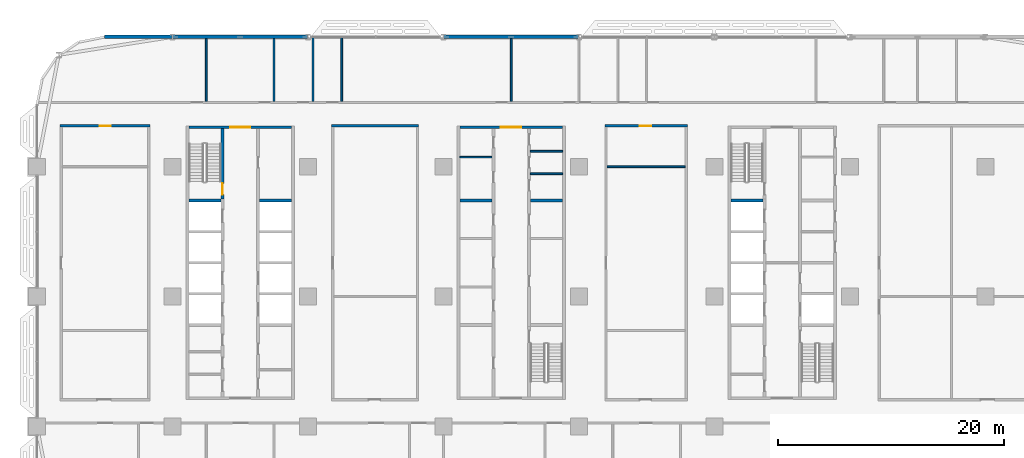
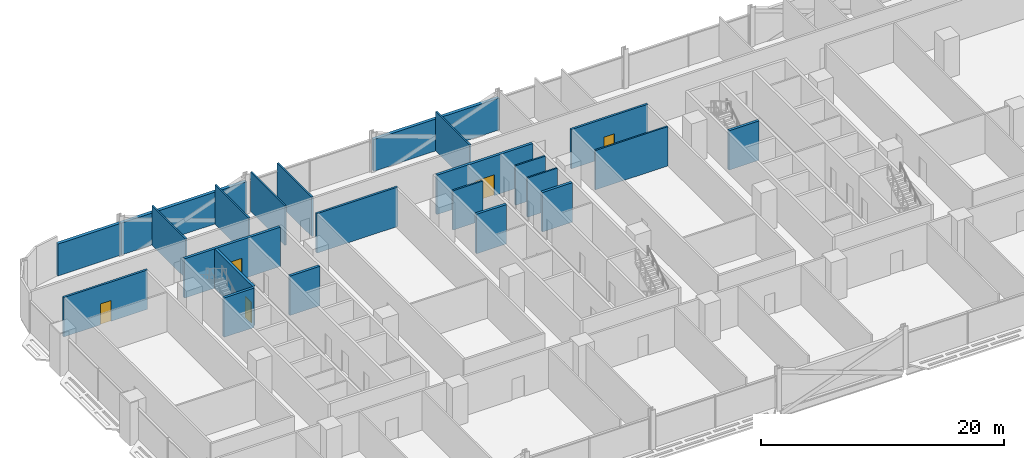
# One storey, part 14 of 29: 23 walls, 5 doors, 5 openings.
"""IFC4 building model written with IfcOpenShell, lengths in metres."""

from ifc_helpers import new_model, si_unit, direction, frame, frame_2d, origin, place, context, subcontext, project, spatial, rectangle, extrude, material, layer, layer_set, type_object, element, fill, save


model = new_model("IFC4")

# Units and contexts
model_context = context("Model", 3, precision=1e-05, world=origin(), true_north=direction((0.0, 1.0)))
body_context = subcontext(model_context, "Body", "Model", "MODEL_VIEW")
ifc_project = project(units=[si_unit("LENGTHUNIT", "METRE"), si_unit("AREAUNIT", "SQUARE_METRE"), si_unit("VOLUMEUNIT", "CUBIC_METRE"), si_unit("PLANEANGLEUNIT", "RADIAN"), si_unit("MASSUNIT", "GRAM", prefix="KILO")], contexts=[model_context])

# Site, building, storey
site_placement = place(None, origin())
site = spatial("IfcSite", under=ifc_project, at=site_placement, CompositionType="ELEMENT")
building_placement = place(site_placement, origin())
building = spatial("IfcBuilding", under=site, at=building_placement, Name="Mahtab Terrace Research Tower", CompositionType="ELEMENT")
storey_placement = place(building_placement, frame((0.0, 0.0, 71.800048828125)))
storey = spatial("IfcBuildingStorey", under=building, at=storey_placement, Name="L16", CompositionType="ELEMENT", Elevation=71.800048828125)

# Walls
ifc_material_1 = material(Name="Gypsum board partition")
ifc_layer_1 = layer(ifc_material_1, 0.14990234375)
ifc_layer_set_1 = layer_set([ifc_layer_1], Name="Core partition 150")
wall_type_1 = type_object("IfcWallType", Name="Core partition 150", PredefinedType="PARTITIONING", material=ifc_layer_set_1)
for number, where, z_axis, x_axis, name in (
    (1, (-4.550048828125, 12.35498046875, 0.0), (0.0, 0.0, 1.0), (1.0, 0.0, 0.0), "Core wall B pWN936"),
    (2, (1.699951171875, 10.875, 0.0), (0.0, 0.0, 1.0), (1.0, 0.0, 0.0), "Core wall B pEN788"),
    (3, (1.699951171875, 12.875, 0.0), (0.0, 0.0, 1.0), (1.0, 0.0, 0.0), "Core wall B pEN988"),
):
    element("IfcWall", number, at=place(storey_placement, frame(where, z_axis=z_axis, x_axis=x_axis)), inside=storey, type_object=wall_type_1, Name=name, PredefinedType="PARTITIONING", context=body_context, shape_type="SweptSolid", body=[
        extrude(rectangle(XDim=2.85009765625, YDim=0.14990234375, at=frame_2d((1.425048828125, 0.0))), origin(), (0.0, 0.0, 1.0), 3.9599609375),
    ])

# Wall, opening, door
ifc_material_2 = material(Name="Concrete C70/85", Category="concrete")
ifc_layer_2 = layer(ifc_material_2, 0.25)
ifc_layer_set_2 = layer_set([ifc_layer_2], Name="Core wall 250")
wall_type_2 = type_object("IfcWallType", Name="Core wall 250", PredefinedType="SOLIDWALL", material=ifc_layer_set_2)
wall_1_placement = place(storey_placement, frame((-28.550048828125, 15.0, 0.0), z_axis=(0.0, 0.0, 1.0), x_axis=(1.0, 0.0, 0.0)))
wall_1 = element("IfcWall", 4, at=wall_1_placement, inside=storey, type_object=wall_type_2, Name="Core wall A endN", PredefinedType="SOLIDWALL", context=body_context, shape_type="SweptSolid", body=[
    extrude(rectangle(XDim=9.10009765625, YDim=0.25, at=frame_2d((4.550048828125, 0.0))), origin(), (0.0, 0.0, 1.0), 3.9599609375),
])
opening_1_placement = place(wall_1_placement, frame((3.64990234375, 0.0, 0.0)))
opening_1 = element("IfcOpeningElement", 5, at=opening_1_placement, cuts=wall_1, Name="Opening A-N1", PredefinedType="OPENING", context=body_context, shape_type="SweptSolid", body=[
    extrude(rectangle(XDim=1.800048828125, YDim=2.10009765625, at=frame_2d((0.89990234375, 1.050048828125))), frame((0.0, 0.135009765625, 0.0), z_axis=(0.0, -1.0, 0.0), x_axis=(1.0, 0.0, 0.0)), (0.0, 0.0, 1.0), 0.27001953125),
])
ifc_material_3 = material(Name="Steel fire door", Category="steel")
door_type_1 = type_object("IfcDoorType", Name="Lobby double door 1800x2100 1 HR", OperationType="DOUBLE_DOOR_SINGLE_SWING", PredefinedType="DOOR", material=ifc_material_3)
door_1_placement = place(opening_1_placement, origin())
door_1 = element("IfcDoor", 6, at=door_1_placement, inside=storey, type_object=door_type_1, Name="Core entrance door A N", OperationType="DOUBLE_DOOR_SINGLE_SWING", OverallHeight=2.10009765625, OverallWidth=1.800048828125, PredefinedType="DOOR", context=body_context, shape_type="SweptSolid", body=[
    extrude(rectangle(XDim=1.800048828125, YDim=2.10009765625, at=frame_2d((0.89990234375, 1.050048828125))), frame((0.0, 0.02490234375, 0.0), z_axis=(0.0, -1.0, 0.0), x_axis=(1.0, 0.0, 0.0)), (0.0, 0.0, 1.0), 0.050048828125),
])
fill(opening_1, door_1)

wall_2_placement = place(storey_placement, frame((-25.574951171875, 14.875, 0.0), z_axis=(0.0, 0.0, 1.0), x_axis=(0.0, -1.0, 0.0)))
wall_2 = element("IfcWall", 7, at=wall_2_placement, inside=storey, type_object=wall_type_2, Name="Core wall A innerWN", PredefinedType="SOLIDWALL", context=body_context, shape_type="SweptSolid", body=[
    extrude(rectangle(XDim=6.25, YDim=0.25, at=frame_2d((3.125, 0.0))), origin(), (0.0, 0.0, 1.0), 3.9599609375),
])
opening_2_placement = place(wall_2_placement, frame((4.85009765625, 0.0, 0.0)))
opening_2 = element("IfcOpeningElement", 8, at=opening_2_placement, cuts=wall_2, Name="Opening A-ST1", PredefinedType="OPENING", context=body_context, shape_type="SweptSolid", body=[
    extrude(rectangle(XDim=1.0, YDim=2.10009765625, at=frame_2d((0.5, 1.050048828125))), frame((0.0, 0.135009765625, 0.0), z_axis=(0.0, -1.0, 0.0), x_axis=(1.0, 0.0, 0.0)), (0.0, 0.0, 1.0), 0.27001953125),
])
door_type_2 = type_object("IfcDoorType", Name="Stair door 1000x2100 1.5 HR", OperationType="NOTDEFINED", PredefinedType="DOOR", material=ifc_material_3)
door_2_placement = place(opening_2_placement, origin())
door_2 = element("IfcDoor", 9, at=door_2_placement, inside=storey, type_object=door_type_2, Name="Stair door ST1 L16", OperationType="SINGLE_SWING_LEFT", OverallHeight=2.10009765625, OverallWidth=1.0, PredefinedType="DOOR", context=body_context, shape_type="SweptSolid", body=[
    extrude(rectangle(XDim=1.0, YDim=2.10009765625, at=frame_2d((0.5, 1.050048828125))), frame((0.0, 0.02490234375, 0.0), z_axis=(0.0, -1.0, 0.0), x_axis=(1.0, 0.0, 0.0)), (0.0, 0.0, 1.0), 0.050048828125),
])
fill(opening_2, door_2)

# Walls
for number, where, z_axis, x_axis, name in (
    (10, (-28.550048828125, 8.5, 0.0), (0.0, 0.0, 1.0), (1.0, 0.0, 0.0), "Core wall A divW4"),
    (11, (-22.300048828125, 8.5, 0.0), (0.0, 0.0, 1.0), (1.0, 0.0, 0.0), "Core wall A divE4"),
):
    element("IfcWall", number, at=place(storey_placement, frame(where, z_axis=z_axis, x_axis=x_axis)), inside=storey, type_object=wall_type_2, Name=name, PredefinedType="SOLIDWALL", context=body_context, shape_type="SweptSolid", body=[
        extrude(rectangle(XDim=2.85009765625, YDim=0.25, at=frame_2d((1.425048828125, 0.0))), origin(), (0.0, 0.0, 1.0), 3.9599609375),
    ])

# Wall, opening, door
wall_3_placement = place(storey_placement, frame((-4.550048828125, 15.0, 0.0), z_axis=(0.0, 0.0, 1.0), x_axis=(1.0, 0.0, 0.0)))
wall_3 = element("IfcWall", 12, at=wall_3_placement, inside=storey, type_object=wall_type_2, Name="Core wall B endN", PredefinedType="SOLIDWALL", context=body_context, shape_type="SweptSolid", body=[
    extrude(rectangle(XDim=9.10009765625, YDim=0.25, at=frame_2d((4.550048828125, 0.0))), origin(), (0.0, 0.0, 1.0), 3.9599609375),
])
opening_3_placement = place(wall_3_placement, frame((3.64990234375, 0.0, 0.0)))
opening_3 = element("IfcOpeningElement", 13, at=opening_3_placement, cuts=wall_3, Name="Opening B-N1", PredefinedType="OPENING", context=body_context, shape_type="SweptSolid", body=[
    extrude(rectangle(XDim=1.800048828125, YDim=2.10009765625, at=frame_2d((0.89990234375, 1.050048828125))), frame((0.0, 0.135009765625, 0.0), z_axis=(0.0, -1.0, 0.0), x_axis=(1.0, 0.0, 0.0)), (0.0, 0.0, 1.0), 0.27001953125),
])
door_3_placement = place(opening_3_placement, origin())
door_3 = element("IfcDoor", 14, at=door_3_placement, inside=storey, type_object=door_type_1, Name="Core entrance door B N", OperationType="DOUBLE_DOOR_SINGLE_SWING", OverallHeight=2.10009765625, OverallWidth=1.800048828125, PredefinedType="DOOR", context=body_context, shape_type="SweptSolid", body=[
    extrude(rectangle(XDim=1.800048828125, YDim=2.10009765625, at=frame_2d((0.89990234375, 1.050048828125))), frame((0.0, 0.02490234375, 0.0), z_axis=(0.0, -1.0, 0.0), x_axis=(1.0, 0.0, 0.0)), (0.0, 0.0, 1.0), 0.050048828125),
])
fill(opening_3, door_3)

# Walls
for number, where, z_axis, x_axis, name in (
    (15, (-4.550048828125, 8.5, 0.0), (0.0, 0.0, 1.0), (1.0, 0.0, 0.0), "Core wall B divW4"),
    (16, (1.699951171875, 8.5, 0.0), (0.0, 0.0, 1.0), (1.0, 0.0, 0.0), "Core wall B divE4"),
    (17, (19.449951171875, 8.5, 0.0), (0.0, 0.0, 1.0), (1.0, 0.0, 0.0), "Core wall C divW4"),
):
    element("IfcWall", number, at=place(storey_placement, frame(where, z_axis=z_axis, x_axis=x_axis)), inside=storey, type_object=wall_type_2, Name=name, PredefinedType="SOLIDWALL", context=body_context, shape_type="SweptSolid", body=[
        extrude(rectangle(XDim=2.85009765625, YDim=0.25, at=frame_2d((1.425048828125, 0.0))), origin(), (0.0, 0.0, 1.0), 3.9599609375),
    ])
ifc_material_4 = material(Name="Black aluminium cladding panel", Category="aluminium")
ifc_layer_3 = layer(ifc_material_4, 0.300048828125)
ifc_layer_set_3 = layer_set([ifc_layer_3], Name="Opaque facade wall 300")
wall_type_3 = type_object("IfcWallType", Name="Opaque facade wall 300", PredefinedType="NOTDEFINED", material=ifc_layer_set_3)
for number, where, z_axis, x_axis, name in (
    (18, (5.97607421875, 23.0, 0.0), (0.0, 0.0, 1.0), (-1.0, 0.0, 0.0), "Opaque facade wall L16 N7"),
    (19, (-18.02392578125, 23.0, 0.0), (0.0, 0.0, 1.0), (-1.0, 0.0, 0.0), "Opaque facade wall L16 N9"),
):
    element("IfcWall", number, at=place(storey_placement, frame(where, z_axis=z_axis, x_axis=x_axis)), inside=storey, type_object=wall_type_3, Name=name, PredefinedType="NOTDEFINED", context=body_context, shape_type="SweptSolid", body=[
        extrude(rectangle(XDim=11.9521484375, YDim=0.300048828125, at=frame_2d((5.97607421875, 0.0))), origin(), (0.0, 0.0, 1.0), 3.203125),
    ])
wall_4_placement = place(storey_placement, frame((-30.02392578125, 23.0, 0.0), z_axis=(0.0, 0.0, 1.0), x_axis=(-1.0, 0.0, 0.0)))
element("IfcWall", 20, at=wall_4_placement, inside=storey, type_object=wall_type_3, Name="Opaque facade wall L16 N10", PredefinedType="NOTDEFINED", context=body_context, shape_type="SweptSolid", body=[
    extrude(rectangle(XDim=5.97607421875, YDim=0.300048828125, at=frame_2d((2.988037109375, 0.0))), origin(), (0.0, 0.0, 1.0), 3.203125),
])

# Wall, opening, door
ifc_material_5 = material(Name="Gypsum board corridor wall on steel studs", Category="steel")
ifc_layer_4 = layer(ifc_material_5, 0.199951171875)
ifc_layer_set_4 = layer_set([ifc_layer_4], Name="WALL CORRIDOR 200")
wall_type_4 = type_object("IfcWallType", Name="WALL CORRIDOR 200", PredefinedType="PARTITIONING", material=ifc_layer_set_4)
wall_5_placement = place(storey_placement, frame((-39.949951171875, 15.125, 0.0), z_axis=(0.0, 0.0, 1.0), x_axis=(1.0, 0.0, 0.0)))
wall_5 = element("IfcWall", 21, at=wall_5_placement, inside=storey, type_object=wall_type_4, Name="L16-W020", PredefinedType="PARTITIONING", context=body_context, shape_type="SweptSolid", body=[
    extrude(rectangle(XDim=7.949951171875, YDim=0.199951171875, at=frame_2d((3.97509765625, 0.0))), origin(), (0.0, 0.0, 1.0), 3.9599609375),
])
opening_4_placement = place(wall_5_placement, frame((3.5, 0.0, 0.0)))
opening_4 = element("IfcOpeningElement", 22, at=opening_4_placement, cuts=wall_5, Name="Opening L16-124", PredefinedType="OPENING", context=body_context, shape_type="SweptSolid", body=[
    extrude(rectangle(XDim=1.0, YDim=2.10009765625, at=frame_2d((0.5, 1.050048828125))), frame((0.0, 0.10986328125, 0.0), z_axis=(0.0, -1.0, 0.0), x_axis=(1.0, 0.0, 0.0)), (0.0, 0.0, 1.0), 0.219970703125),
])
ifc_material_6 = material(Name="Timber door leaf in steel frame", Category="steel")
door_type_3 = type_object("IfcDoorType", Name="DOOR 1000X2100 FD30S", OperationType="SINGLE_SWING_LEFT", PredefinedType="DOOR", material=ifc_material_6)
door_4_placement = place(opening_4_placement, origin())
door_4 = element("IfcDoor", 23, at=door_4_placement, inside=storey, type_object=door_type_3, Name="Door L16-124", OperationType="SINGLE_SWING_LEFT", OverallHeight=2.10009765625, OverallWidth=1.0, PredefinedType="DOOR", context=body_context, shape_type="SweptSolid", body=[
    extrude(rectangle(XDim=1.0, YDim=2.10009765625, at=frame_2d((0.5, 1.050048828125))), frame((0.0, 0.02490234375, 0.0), z_axis=(0.0, -1.0, 0.0), x_axis=(1.0, 0.0, 0.0)), (0.0, 0.0, 1.0), 0.050048828125),
])
fill(opening_4, door_4)

# Wall
wall_6_placement = place(storey_placement, frame((-15.89990234375, 15.125, 0.0), z_axis=(0.0, 0.0, 1.0), x_axis=(1.0, 0.0, 0.0)))
element("IfcWall", 24, at=wall_6_placement, inside=storey, type_object=wall_type_4, Name="L16-W021", PredefinedType="PARTITIONING", context=body_context, shape_type="SweptSolid", body=[
    extrude(rectangle(XDim=7.699951171875, YDim=0.199951171875, at=frame_2d((3.85009765625, 0.0))), origin(), (0.0, 0.0, 1.0), 3.9599609375),
])

# Wall, opening, door
wall_7_placement = place(storey_placement, frame((8.300048828125, 15.125, 0.0), z_axis=(0.0, 0.0, 1.0), x_axis=(1.0, 0.0, 0.0)))
wall_7 = element("IfcWall", 25, at=wall_7_placement, inside=storey, type_object=wall_type_4, Name="L16-W022", PredefinedType="PARTITIONING", context=body_context, shape_type="SweptSolid", body=[
    extrude(rectangle(XDim=7.300048828125, YDim=0.199951171875, at=frame_2d((3.64990234375, 0.0))), origin(), (0.0, 0.0, 1.0), 3.9599609375),
])
opening_5_placement = place(wall_7_placement, frame((3.10009765625, 0.0, 0.0)))
opening_5 = element("IfcOpeningElement", 26, at=opening_5_placement, cuts=wall_7, Name="Opening L16-125", PredefinedType="OPENING", context=body_context, shape_type="SweptSolid", body=[
    extrude(rectangle(XDim=1.0, YDim=2.10009765625, at=frame_2d((0.5, 1.050048828125))), frame((0.0, 0.10986328125, 0.0), z_axis=(0.0, -1.0, 0.0), x_axis=(1.0, 0.0, 0.0)), (0.0, 0.0, 1.0), 0.219970703125),
])
door_5_placement = place(opening_5_placement, origin())
door_5 = element("IfcDoor", 27, at=door_5_placement, inside=storey, type_object=door_type_3, Name="Door L16-125", OperationType="SINGLE_SWING_RIGHT", OverallHeight=2.10009765625, OverallWidth=1.0, PredefinedType="DOOR", context=body_context, shape_type="SweptSolid", body=[
    extrude(rectangle(XDim=1.0, YDim=2.10009765625, at=frame_2d((0.5, 1.050048828125))), frame((0.0, 0.02490234375, 0.0), z_axis=(0.0, -1.0, 0.0), x_axis=(1.0, 0.0, 0.0)), (0.0, 0.0, 1.0), 0.050048828125),
])
fill(opening_5, door_5)

# Walls
ifc_material_7 = material(Name="Gypsum board partition on steel studs", Category="steel")
ifc_layer_5 = layer(ifc_material_7, 0.14990234375)
ifc_layer_set_5 = layer_set([ifc_layer_5], Name="WALL PARTITION 150")
wall_type_5 = type_object("IfcWallType", Name="WALL PARTITION 150", PredefinedType="PARTITIONING", material=ifc_layer_set_5)
wall_8_placement = place(storey_placement, frame((8.5, 11.5, 0.0), z_axis=(0.0, 0.0, 1.0), x_axis=(1.0, 0.0, 0.0)))
element("IfcWall", 28, at=wall_8_placement, inside=storey, type_object=wall_type_5, Name="L16-W019", PredefinedType="PARTITIONING", context=body_context, shape_type="SweptSolid", body=[
    extrude(rectangle(XDim=6.89990234375, YDim=0.14990234375, at=frame_2d((3.449951171875, 0.0))), origin(), (0.0, 0.0, 1.0), 3.9599609375),
])
for number, where, z_axis, x_axis, name in (
    (29, (-27.0, 17.300048828125, 0.0), (0.0, 0.0, 1.0), (0.0, 1.0, 0.0), "L16-W029"),
    (30, (-21.0, 17.300048828125, 0.0), (0.0, 0.0, 1.0), (0.0, 1.0, 0.0), "L16-W031"),
):
    element("IfcWall", number, at=place(storey_placement, frame(where, z_axis=z_axis, x_axis=x_axis)), inside=storey, type_object=wall_type_5, Name=name, PredefinedType="PARTITIONING", context=body_context, shape_type="SweptSolid", body=[
        extrude(rectangle(XDim=5.550048828125, YDim=0.14990234375, at=frame_2d((2.77490234375, 0.0))), origin(), (0.0, 0.0, 1.0), 3.9599609375),
    ])
for number, where, z_axis, x_axis, name in (
    (31, (-17.550048828125, 17.300048828125, 0.0), (0.0, 0.0, 1.0), (0.0, 1.0, 0.0), "L16-W032"),
    (32, (-15.0, 17.300048828125, 0.0), (0.0, 0.0, 1.0), (0.0, 1.0, 0.0), "L16-W034"),
):
    element("IfcWall", number, at=place(storey_placement, frame(where, z_axis=z_axis, x_axis=x_axis)), inside=storey, type_object=wall_type_5, Name=name, PredefinedType="PARTITIONING", context=body_context, shape_type="SweptSolid", body=[
        extrude(rectangle(XDim=5.675048828125, YDim=0.14990234375, at=frame_2d((2.83740234375, 0.0))), origin(), (0.0, 0.0, 1.0), 3.9599609375),
    ])
wall_9_placement = place(storey_placement, frame((0.0, 17.300048828125, 0.0), z_axis=(0.0, 0.0, 1.0), x_axis=(0.0, 1.0, 0.0)))
element("IfcWall", 33, at=wall_9_placement, inside=storey, type_object=wall_type_5, Name="L16-W038", PredefinedType="PARTITIONING", context=body_context, shape_type="SweptSolid", body=[
    extrude(rectangle(XDim=5.550048828125, YDim=0.14990234375, at=frame_2d((2.77490234375, 0.0))), origin(), (0.0, 0.0, 1.0), 3.9599609375),
])

save(model, "model.ifc")
